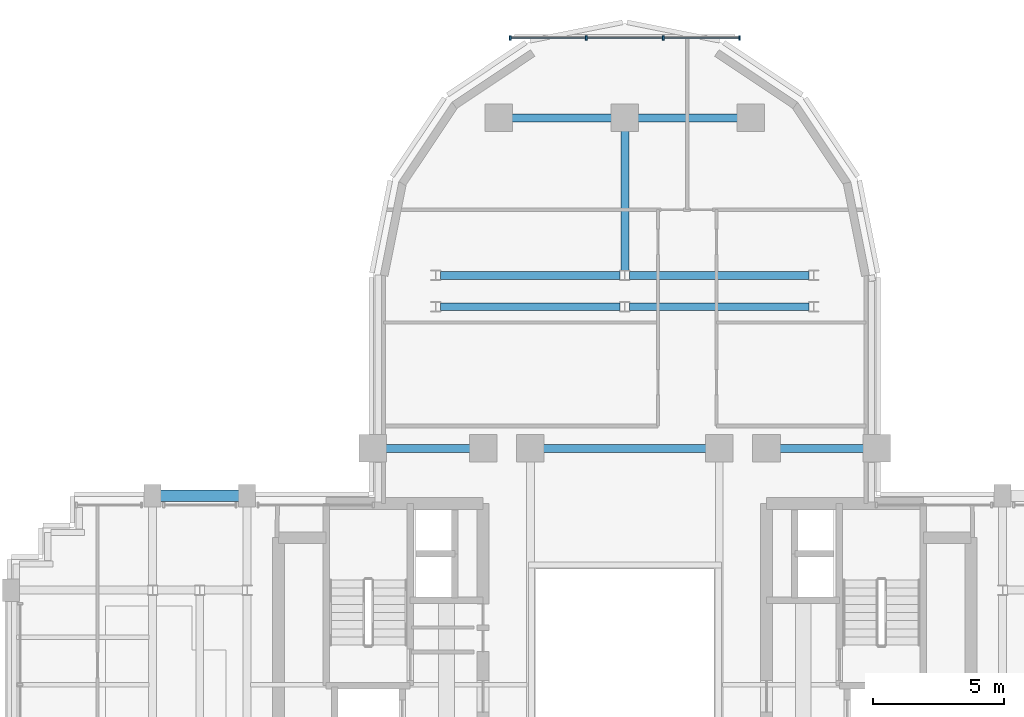
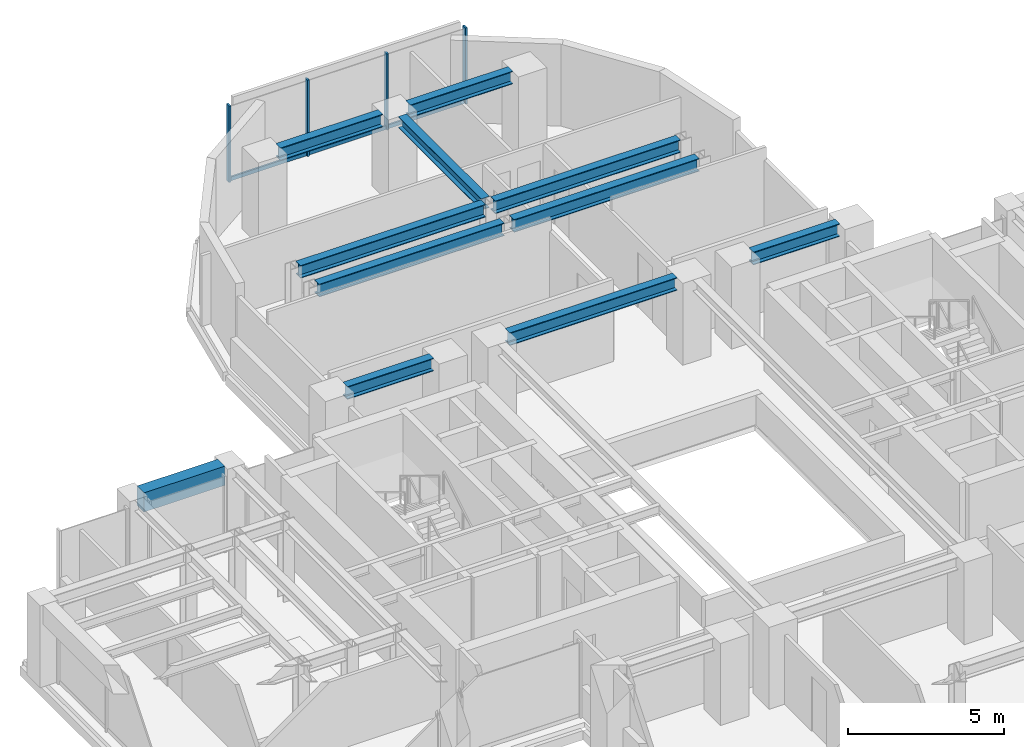
# One storey, part 6 of 14: 11 beams, 7 members, 1 element without a shape of its own.
"""IFC4 building model written with IfcOpenShell, lengths in metres."""

from ifc_helpers import new_model, si_unit, direction, frame, origin, origin_2d, place, context, subcontext, project, spatial, rectangle, i_section, extrude, source, transform, mapped, material, material_profile, profile_set, type_object, element, aggregate, save


model = new_model("IFC4")

# Units and contexts
model_context = context("Model", 3, precision=1e-05, world=origin(), true_north=direction((0.0, 1.0)))
body_context = subcontext(model_context, "Body", "Model", "MODEL_VIEW")
ifc_project = project(units=[si_unit("LENGTHUNIT", "METRE"), si_unit("AREAUNIT", "SQUARE_METRE"), si_unit("VOLUMEUNIT", "CUBIC_METRE"), si_unit("PLANEANGLEUNIT", "RADIAN"), si_unit("MASSUNIT", "GRAM", prefix="KILO")], contexts=[model_context])

# Site, building, storey
site_placement = place(None, origin())
site = spatial("IfcSite", under=ifc_project, at=site_placement, CompositionType="ELEMENT")
building_placement = place(site_placement, origin())
building = spatial("IfcBuilding", under=site, at=building_placement, Name="Keilestroom Media Tower", CompositionType="ELEMENT")
storey_placement = place(building_placement, frame((0.0, 0.0, 110.800048828125)))
storey = spatial("IfcBuildingStorey", under=building, at=storey_placement, Name="L29", CompositionType="ELEMENT", Elevation=110.800048828125)

# Beams
ifc_material_1 = material(Name="Steel S355", Category="steel")
ifc_material_profile_1 = material_profile(ifc_material_1, i_section(OverallWidth=0.300048828125, OverallDepth=0.5, WebThickness=0.012451171875, FlangeThickness=0.028076171875, at=origin_2d()), Name="HEB 500")
ifc_profile_set_1 = profile_set([ifc_material_profile_1], Name="Steel S355")
beam_type_1 = type_object("IfcBeamType", Name="Primary-Structural-Girder-HEB-500", PredefinedType="BEAM", material=ifc_profile_set_1)
shared_shape_1 = source(origin(), body_context, "Body", "SweptSolid", [
    extrude(i_section(OverallWidth=0.300048828125, OverallDepth=0.5, WebThickness=0.012451171875, FlangeThickness=0.028076171875, at=origin_2d()), origin(), (0.0, 0.0, 1.0), 3.7900390625),
])
for number, where, z_axis, x_axis, name in (
    (1, (-4.294921875, 21.60009765625, 2.949951171875), (1.0, 0.0, 0.0), (0.0, 1.0, 0.0), "L29 Beam BG-6 BM-L29-EW-037"),
    (2, (0.5048828125, 21.60009765625, 2.949951171875), (1.0, 0.0, 0.0), (0.0, 1.0, 0.0), "L29 Beam BG-6 BM-L29-EW-038"),
):
    element("IfcBeam", number, at=place(storey_placement, frame(where, z_axis=z_axis, x_axis=x_axis)), inside=storey, type_object=beam_type_1, Name=name, PredefinedType="BEAM", context=body_context, shape_type="MappedRepresentation", body=[
        mapped(shared_shape_1, transform((0.0, 0.0, 0.0), x_axis=(1.0, 0.0, 0.0), y_axis=(0.0, 1.0, 0.0), z_axis=(0.0, 0.0, 1.0), scale=1.0)),
    ])
shared_shape_2 = source(origin(), body_context, "Body", "SweptSolid", [
    extrude(i_section(OverallWidth=0.300048828125, OverallDepth=0.5, WebThickness=0.012451171875, FlangeThickness=0.028076171875, at=origin_2d()), origin(), (0.0, 0.0, 1.0), 6.839111328125),
])
for number, where, z_axis, x_axis, name in (
    (3, (-7.01953125, 14.39990234375, 2.949951171875), (1.0, 0.0, 0.0), (0.0, 1.0, 0.0), "L29 Beam BG-6 BM-L29-EW-033"),
    (4, (0.180419921875, 14.39990234375, 2.949951171875), (1.0, 0.0, 0.0), (0.0, 1.0, 0.0), "L29 Beam BG-6 BM-L29-EW-034"),
    (5, (-7.01953125, 15.60009765625, 2.949951171875), (1.0, 0.0, 0.0), (0.0, 1.0, 0.0), "L29 Beam BG-6 BM-L29-EW-035"),
    (6, (0.180419921875, 15.60009765625, 2.949951171875), (1.0, 0.0, 0.0), (0.0, 1.0, 0.0), "L29 Beam BG-6 BM-L29-EW-036"),
):
    element("IfcBeam", number, at=place(storey_placement, frame(where, z_axis=z_axis, x_axis=x_axis)), inside=storey, type_object=beam_type_1, Name=name, PredefinedType="BEAM", context=body_context, shape_type="MappedRepresentation", body=[
        mapped(shared_shape_2, transform((0.0, 0.0, 0.0), x_axis=(1.0, 0.0, 0.0), y_axis=(0.0, 1.0, 0.0), z_axis=(0.0, 0.0, 1.0), scale=1.0)),
    ])
shared_shape_3 = source(origin(), body_context, "Body", "SweptSolid", [
    extrude(i_section(OverallWidth=0.300048828125, OverallDepth=0.5, WebThickness=0.012451171875, FlangeThickness=0.028076171875, at=origin_2d()), origin(), (0.0, 0.0, 1.0), 3.18994140625),
])
for number, where, z_axis, x_axis, name in (
    (7, (-9.094970703125, 9.0, 2.949951171875), (1.0, 0.0, 0.0), (0.0, 1.0, 0.0), "L29 Beam BG-6 BM-L29-EW-028"),
    (8, (5.905029296875, 9.0, 2.949951171875), (1.0, 0.0, 0.0), (0.0, 1.0, 0.0), "L29 Beam BG-6 BM-L29-EW-032"),
):
    element("IfcBeam", number, at=place(storey_placement, frame(where, z_axis=z_axis, x_axis=x_axis)), inside=storey, type_object=beam_type_1, Name=name, PredefinedType="BEAM", context=body_context, shape_type="MappedRepresentation", body=[
        mapped(shared_shape_3, transform((0.0, 0.0, 0.0), x_axis=(1.0, 0.0, 0.0), y_axis=(0.0, 1.0, 0.0), z_axis=(0.0, 0.0, 1.0), scale=1.0)),
    ])
shared_shape_4 = source(origin(), body_context, "Body", "SweptSolid", [
    extrude(i_section(OverallWidth=0.300048828125, OverallDepth=0.5, WebThickness=0.012451171875, FlangeThickness=0.028076171875, at=origin_2d()), origin(), (0.0, 0.0, 1.0), 6.18994140625),
])
beam_1_placement = place(storey_placement, frame((-3.094970703125, 9.0, 2.949951171875), z_axis=(1.0, 0.0, 0.0), x_axis=(0.0, 1.0, 0.0)))
element("IfcBeam", 9, at=beam_1_placement, inside=storey, type_object=beam_type_1, Name="L29 Beam BG-6 BM-L29-EW-030", PredefinedType="BEAM", context=body_context, shape_type="MappedRepresentation", body=[
    mapped(shared_shape_4, transform((0.0, 0.0, 0.0), x_axis=(1.0, 0.0, 0.0), y_axis=(0.0, 1.0, 0.0), z_axis=(0.0, 0.0, 1.0), scale=1.0)),
])
ifc_material_2 = material(Name="Precast concrete C40/50", Category="concrete")
ifc_material_profile_2 = material_profile(ifc_material_2, rectangle(XDim=0.449951171875, YDim=0.75, at=origin_2d()), Name="PC 450x750")
ifc_profile_set_2 = profile_set([ifc_material_profile_2], Name="Precast concrete C40/50")
beam_type_2 = type_object("IfcBeamType", Name="Perimeter-Spandrel-Beam-PC-450x750", PredefinedType="SPANDREL", material=ifc_profile_set_2)
shared_shape_5 = source(origin(), body_context, "Body", "SweptSolid", [
    extrude(rectangle(XDim=0.449951171875, YDim=0.75, at=origin_2d()), origin(), (0.0, 0.0, 1.0), 2.989990234375),
])
beam_2_placement = place(storey_placement, frame((-17.695068359375, 7.199951171875, 2.824951171875), z_axis=(1.0, 0.0, 0.0), x_axis=(0.0, 1.0, 0.0)))
element("IfcBeam", 10, at=beam_2_placement, inside=storey, type_object=beam_type_2, Name="L29 Beam SPB-1 BM-L29-EW-026", PredefinedType="SPANDREL", context=body_context, shape_type="MappedRepresentation", body=[
    mapped(shared_shape_5, transform((0.0, 0.0, 0.0), x_axis=(1.0, 0.0, 0.0), y_axis=(0.0, 1.0, 0.0), z_axis=(0.0, 0.0, 1.0), scale=1.0)),
])
ifc_material_profile_3 = material_profile(ifc_material_1, i_section(OverallWidth=0.300048828125, OverallDepth=0.43994140625, WebThickness=0.011474609375, FlangeThickness=0.02099609375, at=origin_2d()), Name="HEA 450")
ifc_profile_set_3 = profile_set([ifc_material_profile_3], Name="Steel S355")
beam_type_3 = type_object("IfcBeamType", Name="Primary-Structural-Girder-HEA-450", PredefinedType="BEAM", material=ifc_profile_set_3)
shared_shape_6 = source(origin(), body_context, "Body", "SweptSolid", [
    extrude(i_section(OverallWidth=0.300048828125, OverallDepth=0.43994140625, WebThickness=0.011474609375, FlangeThickness=0.02099609375, at=origin_2d()), origin(), (0.0, 0.0, 1.0), 5.3154296875),
])
beam_3_placement = place(storey_placement, frame((0.0, 15.779541015625, 2.97998046875), z_axis=(0.0, 1.0, 0.0), x_axis=(-1.0, 0.0, 0.0)))
element("IfcBeam", 11, at=beam_3_placement, inside=storey, type_object=beam_type_3, Name="L29 Beam BG-11 BM-L29-NS-055", PredefinedType="BEAM", context=body_context, shape_type="MappedRepresentation", body=[
    mapped(shared_shape_6, transform((0.0, 0.0, 0.0), x_axis=(1.0, 0.0, 0.0), y_axis=(0.0, 1.0, 0.0), z_axis=(0.0, 0.0, 1.0), scale=1.0)),
])

# Curtain wall, members
ifc_material_3 = material(Name="Anodised Aluminium Alloy", Category="aluminium")
curtain_wall_type = type_object("IfcCurtainWallType", Name="Unitised-Curtain-Wall-CW-6", PredefinedType="NOTDEFINED", material=ifc_material_3)
curtain_wall_placement = place(storey_placement, origin())
curtain_wall = element("IfcCurtainWall", 12, at=curtain_wall_placement, inside=storey, type_object=curtain_wall_type, Name="L29 Curtain Wall CW-6 CW-L29-LN-1", PredefinedType="NOTDEFINED")
ifc_material_profile_4 = material_profile(ifc_material_3, rectangle(XDim=0.06494140625, YDim=0.179931640625, at=origin_2d()), Name="ALU MULLION 65x180")
ifc_profile_set_4 = profile_set([ifc_material_profile_4], Name="Anodised Aluminium Alloy")
member_type_1 = type_object("IfcMemberType", Name="Curtain-Wall-Mullion-CW-6", PredefinedType="MULLION", material=ifc_profile_set_4)
shared_shape_7 = source(origin(), body_context, "Body", "SweptSolid", [
    extrude(rectangle(XDim=0.06494140625, YDim=0.179931640625, at=origin_2d()), origin(), (0.0, 0.0, 1.0), 2.97998046875),
])
member_1_placement = place(storey_placement, frame((-4.367431640625, 24.64990234375, 0.0), z_axis=(0.0, 0.0, 1.0), x_axis=(1.0, 0.0, 0.0)))
member_1 = element("IfcMember", 13, at=member_1_placement, type_object=member_type_1, Name="CW-6 Mullion 00", PredefinedType="MULLION", context=body_context, shape_type="MappedRepresentation", body=[
    mapped(shared_shape_7, transform((0.0, 0.0, 0.0), x_axis=(1.0, 0.0, 0.0), y_axis=(0.0, 1.0, 0.0), z_axis=(0.0, 0.0, 1.0), scale=1.0)),
])
member_2_placement = place(storey_placement, frame((-1.466796875, 24.64990234375, 0.0), z_axis=(0.0, 0.0, 1.0), x_axis=(1.0, 0.0, 0.0)))
member_2 = element("IfcMember", 14, at=member_2_placement, type_object=member_type_1, Name="CW-6 Mullion 01", PredefinedType="MULLION", context=body_context, shape_type="MappedRepresentation", body=[
    mapped(shared_shape_7, transform((0.0, 0.0, 0.0), x_axis=(1.0, 0.0, 0.0), y_axis=(0.0, 1.0, 0.0), z_axis=(0.0, 0.0, 1.0), scale=1.0)),
])
member_3_placement = place(storey_placement, frame((1.466796875, 24.64990234375, 0.0), z_axis=(0.0, 0.0, 1.0), x_axis=(1.0, 0.0, 0.0)))
member_3 = element("IfcMember", 15, at=member_3_placement, type_object=member_type_1, Name="CW-6 Mullion 02", PredefinedType="MULLION", context=body_context, shape_type="MappedRepresentation", body=[
    mapped(shared_shape_7, transform((0.0, 0.0, 0.0), x_axis=(1.0, 0.0, 0.0), y_axis=(0.0, 1.0, 0.0), z_axis=(0.0, 0.0, 1.0), scale=1.0)),
])
member_4_placement = place(storey_placement, frame((4.367431640625, 24.64990234375, 0.0), z_axis=(0.0, 0.0, 1.0), x_axis=(1.0, 0.0, 0.0)))
member_4 = element("IfcMember", 16, at=member_4_placement, type_object=member_type_1, Name="CW-6 Mullion 03", PredefinedType="MULLION", context=body_context, shape_type="MappedRepresentation", body=[
    mapped(shared_shape_7, transform((0.0, 0.0, 0.0), x_axis=(1.0, 0.0, 0.0), y_axis=(0.0, 1.0, 0.0), z_axis=(0.0, 0.0, 1.0), scale=1.0)),
])
ifc_material_profile_5 = material_profile(ifc_material_3, rectangle(XDim=0.06494140625, YDim=0.14990234375, at=origin_2d()), Name="ALU TRANSOM 65x150")
ifc_profile_set_5 = profile_set([ifc_material_profile_5], Name="Anodised Aluminium Alloy")
member_type_2 = type_object("IfcMemberType", Name="Curtain-Wall-Transom-CW-6", PredefinedType="USERDEFINED", material=ifc_profile_set_5)
shared_shape_8 = source(origin(), body_context, "Body", "SweptSolid", [
    extrude(rectangle(XDim=0.06494140625, YDim=0.14990234375, at=origin_2d()), origin(), (0.0, 0.0, 1.0), 2.839599609375),
])
member_5_placement = place(storey_placement, frame((-4.3369140625, 24.64990234375, 0.074951171875), z_axis=(1.0, 0.0, 0.0), x_axis=(0.0, 1.0, 0.0)))
member_5 = element("IfcMember", 17, at=member_5_placement, type_object=member_type_2, Name="CW-6 Transom 00.1", ObjectType="TRANSOM", PredefinedType="USERDEFINED", context=body_context, shape_type="MappedRepresentation", body=[
    mapped(shared_shape_8, transform((0.0, 0.0, 0.0), x_axis=(1.0, 0.0, 0.0), y_axis=(0.0, 1.0, 0.0), z_axis=(0.0, 0.0, 1.0), scale=1.0)),
])
member_6_placement = place(storey_placement, frame((1.497314453125, 24.64990234375, 0.074951171875), z_axis=(1.0, 0.0, 0.0), x_axis=(0.0, 1.0, 0.0)))
member_6 = element("IfcMember", 18, at=member_6_placement, type_object=member_type_2, Name="CW-6 Transom 02.1", ObjectType="TRANSOM", PredefinedType="USERDEFINED", context=body_context, shape_type="MappedRepresentation", body=[
    mapped(shared_shape_8, transform((0.0, 0.0, 0.0), x_axis=(1.0, 0.0, 0.0), y_axis=(0.0, 1.0, 0.0), z_axis=(0.0, 0.0, 1.0), scale=1.0)),
])
shared_shape_9 = source(origin(), body_context, "Body", "SweptSolid", [
    extrude(rectangle(XDim=0.06494140625, YDim=0.14990234375, at=origin_2d()), origin(), (0.0, 0.0, 1.0), 2.87255859375),
])
member_7_placement = place(storey_placement, frame((-1.436279296875, 24.64990234375, 0.074951171875), z_axis=(1.0, 0.0, 0.0), x_axis=(0.0, 1.0, 0.0)))
member_7 = element("IfcMember", 19, at=member_7_placement, type_object=member_type_2, Name="CW-6 Transom 01.1", ObjectType="TRANSOM", PredefinedType="USERDEFINED", context=body_context, shape_type="MappedRepresentation", body=[
    mapped(shared_shape_9, transform((0.0, 0.0, 0.0), x_axis=(1.0, 0.0, 0.0), y_axis=(0.0, 1.0, 0.0), z_axis=(0.0, 0.0, 1.0), scale=1.0)),
])
aggregate(curtain_wall, [member_1, member_2, member_3, member_4, member_5, member_7, member_6])

save(model, "model.ifc")
